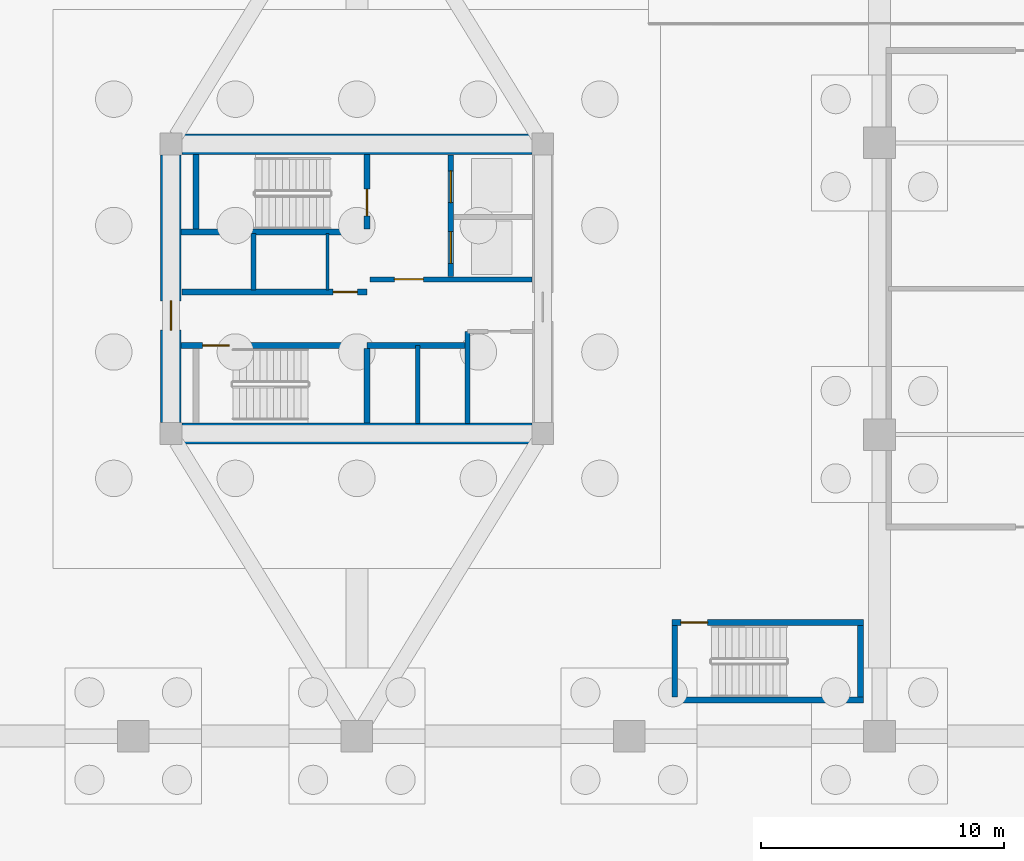
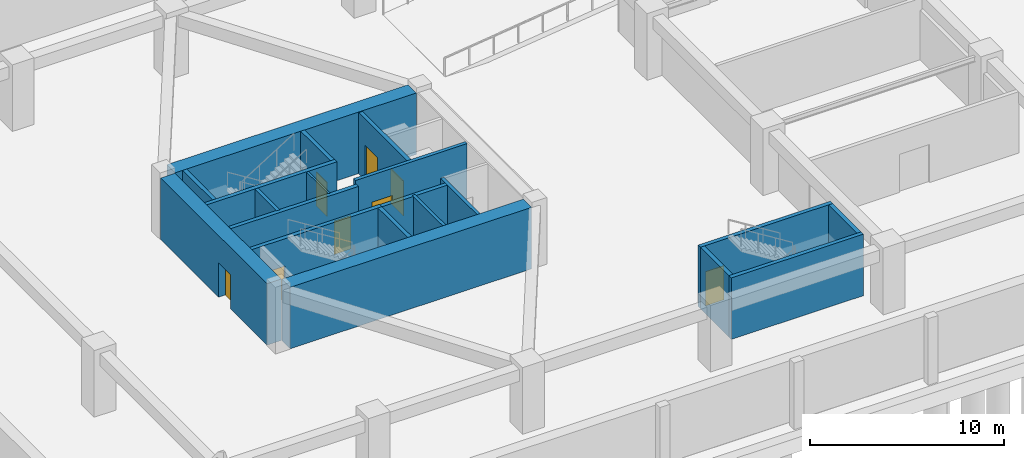
# One storey, part 4 of 14: 20 walls, 8 doors, 8 openings.
"""IFC4 building model written with IfcOpenShell, lengths in metres."""

import ifcopenshell
import ifcopenshell.guid

model = None  # the IFC model being written
_history = None  # IfcOwnerHistory: only IFC2X3 demands one
_inside = {}  # id of a spatial element -> (the spatial element, [elements in it])
_under = {}  # id of a project, library or spatial element -> (it, [spatial elements below it])
_declared = {}  # id of a project -> (the project, [libraries it declares])
_typed = {}  # id of a type object -> (the type object, [elements of that type])
_made_of = {}  # id of a material, layer set ... -> (it, [elements and type objects made of it])


def new_model(schema):
    """Start an empty IFC model of exactly this schema.

    Asked for "IFC4X3", IfcOpenShell would pick the latest addendum, in which some entities
    have other attributes; the version numbers below select the first issue.
    IFC2X3 requires an IfcOwnerHistory on every rooted entity: one is made here for all.
    """
    global model, _history
    if schema == "IFC4X3":
        model = ifcopenshell.file(schema_version=(4, 3, 0, 0))
    else:
        model = ifcopenshell.file(schema=schema)
    _inside.clear()
    _under.clear()
    _declared.clear()
    _typed.clear()
    _made_of.clear()
    _history = None
    if model.schema == "IFC2X3":
        org = make("IfcOrganization", Name="unknown")
        user = make(
            "IfcPersonAndOrganization",
            ThePerson=make("IfcPerson", FamilyName="unknown"),
            TheOrganization=org,
        )
        app = make(
            "IfcApplication",
            ApplicationDeveloper=org,
            Version="unknown",
            ApplicationFullName="unknown",
            ApplicationIdentifier="unknown",
        )
        _history = make(
            "IfcOwnerHistory",
            OwningUser=user,
            OwningApplication=app,
            ChangeAction="ADDED",
            CreationDate=0,
        )
    return model


def make(cls, **values):
    """One entity of the class cls with the attributes given. An attribute that is None is left unset."""
    return model.create_entity(
        cls, **{name: value for name, value in values.items() if value is not None}
    )


def rooted(cls, **values):
    """An entity with a GlobalId (a new one), such as an element, a storey or a relation."""
    return make(cls, GlobalId=ifcopenshell.guid.new(), OwnerHistory=_history, **values)


def si_unit(unit_type, name, prefix=None):
    """IfcSIUnit, for example si_unit("LENGTHUNIT", "METRE", prefix="MILLI")."""
    return make("IfcSIUnit", UnitType=unit_type, Prefix=prefix, Name=name)


def assignment(units):
    """IfcUnitAssignment: the units of a project."""
    return None if units is None else make("IfcUnitAssignment", Units=units)


def point(xyz):
    """IfcCartesianPoint."""
    return None if xyz is None else make("IfcCartesianPoint", Coordinates=xyz)


def direction(xyz):
    """IfcDirection."""
    return None if xyz is None else make("IfcDirection", DirectionRatios=xyz)


def frame(location, z_axis=None, x_axis=None):
    """IfcAxis2Placement3D, a coordinate frame: its origin and axes. An axis left out is left unset."""
    return make(
        "IfcAxis2Placement3D",
        Location=point(location),
        Axis=direction(z_axis),
        RefDirection=direction(x_axis),
    )


def frame_2d(location, x_axis=None):
    """IfcAxis2Placement2D, a coordinate frame in the plane: its origin and x axis."""
    return make(
        "IfcAxis2Placement2D", Location=point(location), RefDirection=direction(x_axis)
    )


def origin():
    """The frame at (0, 0, 0) with its axes left unset."""
    return frame((0.0, 0.0, 0.0))


def place(relative_to, where):
    """IfcLocalPlacement: puts the frame where relative to a parent placement (None: the world)."""
    return make(
        "IfcLocalPlacement", PlacementRelTo=relative_to, RelativePlacement=where
    )


def context(
    kind, dimensions, precision=None, world=None, true_north=None, identifier=None
):
    """IfcGeometricRepresentationContext, for example the 3D "Model" context."""
    return make(
        "IfcGeometricRepresentationContext",
        ContextIdentifier=identifier,
        ContextType=kind,
        CoordinateSpaceDimension=dimensions,
        Precision=precision,
        WorldCoordinateSystem=world,
        TrueNorth=true_north,
    )


def subcontext(parent, identifier, kind, view, scale=None):
    """IfcGeometricRepresentationSubContext, for example "Body" below "Model"."""
    return make(
        "IfcGeometricRepresentationSubContext",
        ContextIdentifier=identifier,
        ContextType=kind,
        ParentContext=parent,
        TargetScale=scale,
        TargetView=view,
    )


def project(units=None, contexts=None):
    """IfcProject with its units and contexts."""
    return rooted(
        "IfcProject",
        Name="project",
        RepresentationContexts=contexts,
        UnitsInContext=assignment(units),
    )


def spatial(cls, under=None, at=None, **own):
    """A site, building, storey or space (cls), placed at a placement, below another one or the project."""
    s = rooted(cls, ObjectPlacement=at, **own)
    if under is not None:
        _under.setdefault(under.id(), (under, []))[1].append(s)
    return s


def profile(cls, at=None, kind="AREA", **sizes):
    """A parametric profile (cls). Its sizes go by their IFC names, for example OverallWidth=200.0."""
    return make(cls, ProfileType=kind, Position=at, **sizes)


def rectangle(**sizes):
    """IfcRectangleProfileDef."""
    return profile("IfcRectangleProfileDef", **sizes)


def extrude(swept, where, along, depth):
    """IfcExtrudedAreaSolid: the profile swept, set in the frame where, extruded along a direction by depth."""
    return make(
        "IfcExtrudedAreaSolid",
        SweptArea=swept,
        Position=where,
        ExtrudedDirection=direction(along),
        Depth=depth,
    )


def shape(context_of_items, identifier, shape_type, items):
    """IfcShapeRepresentation: the items that make up one representation, for example the "Body"."""
    return make(
        "IfcShapeRepresentation",
        ContextOfItems=context_of_items,
        RepresentationIdentifier=identifier,
        RepresentationType=shape_type,
        Items=items,
    )


def source(mapping_origin, context_of_items, identifier, shape_type, items):
    """IfcRepresentationMap: a shape defined once, which mapped items show again and again."""
    return make(
        "IfcRepresentationMap",
        MappingOrigin=mapping_origin,
        MappedRepresentation=shape(context_of_items, identifier, shape_type, items),
    )


def transform(
    local_origin,
    x_axis=None,
    y_axis=None,
    z_axis=None,
    scale=None,
    scale2=None,
    scale3=None,
    uniform=True,
):
    """IfcCartesianTransformationOperator3D, or its non-uniform kind. x_axis, y_axis, z_axis: its Axis1, 2, 3."""
    if uniform:
        return make(
            "IfcCartesianTransformationOperator3D",
            Axis1=direction(x_axis),
            Axis2=direction(y_axis),
            LocalOrigin=point(local_origin),
            Scale=scale,
            Axis3=direction(z_axis),
        )
    return make(
        "IfcCartesianTransformationOperator3DnonUniform",
        Axis1=direction(x_axis),
        Axis2=direction(y_axis),
        LocalOrigin=point(local_origin),
        Scale=scale,
        Axis3=direction(z_axis),
        Scale2=scale2,
        Scale3=scale3,
    )


def mapped(mapping_source, mapping_target):
    """IfcMappedItem: shows the shape of a source again, moved by a transform."""
    return make(
        "IfcMappedItem", MappingSource=mapping_source, MappingTarget=mapping_target
    )


def material(Name=None, Category=None):
    """IfcMaterial."""
    return make("IfcMaterial", Name=Name, Category=Category)


def layer(
    of_material, thickness, ventilated=None, Name=None, Category=None, Priority=None
):
    """IfcMaterialLayer: one layer of a wall or slab, of a material (None: an air gap)."""
    return make(
        "IfcMaterialLayer",
        Material=of_material,
        LayerThickness=thickness,
        IsVentilated=ventilated,
        Name=Name,
        Category=Category,
        Priority=Priority,
    )


def layer_set(layers, Name=None):
    """IfcMaterialLayerSet."""
    return make("IfcMaterialLayerSet", MaterialLayers=layers, LayerSetName=Name)


def made_of(thing, what):
    """Note that an element or type object is made of a material, layer set ...; save() writes the relation."""
    if what is not None:
        _made_of.setdefault(what.id(), (what, []))[1].append(thing)
    return thing


def type_object(cls, material=None, **own):
    """A type object (cls), such as IfcWallType, which elements share."""
    return made_of(rooted(cls, **own), material)


def type_shapes(of_type, sources):
    """Give a type object the sources (RepresentationMaps) that its elements show as mapped items."""
    of_type.RepresentationMaps = sources


def element(
    cls,
    number,
    at=None,
    inside=None,
    cuts=None,
    type_object=None,
    material=None,
    context=None,
    identifier="Body",
    shape_type=None,
    held_by="IfcProductDefinitionShape",
    body=None,
    shapes=None,
    **own,
):
    """One element of the class cls, such as IfcWall. Its Tag is "e" and its number.

    at: its placement. inside: the storey or other place that contains it. cuts: it is an
    opening in that element (IfcRelVoidsElement). A single representation is given by context,
    identifier, shape_type and body (its items); several are given by shapes. held_by: the class
    of the entity that holds the representations. save() writes the other relations.
    """
    e = rooted(cls, Tag="e%d" % number, ObjectPlacement=at, **own)
    if body is not None:
        shapes = [shape(context, identifier, shape_type, body)]
    if shapes is not None:
        e.Representation = make(held_by, Representations=shapes)
    if inside is not None:
        _inside.setdefault(inside.id(), (inside, []))[1].append(e)
    if cuts is not None:
        rooted(
            "IfcRelVoidsElement", RelatingBuildingElement=cuts, RelatedOpeningElement=e
        )
    if type_object is not None:
        _typed.setdefault(type_object.id(), (type_object, []))[1].append(e)
    return made_of(e, material)


def fill(opening, filler):
    """IfcRelFillsElement: the door or window that sits in an opening."""
    return rooted(
        "IfcRelFillsElement",
        RelatingOpeningElement=opening,
        RelatedBuildingElement=filler,
    )


def aggregate(whole, parts):
    """IfcRelAggregates: a whole, such as a stair, and the parts it consists of."""
    return rooted("IfcRelAggregates", RelatingObject=whole, RelatedObjects=parts)


def save(model, path):
    """Write the relations noted so far, then the file.

    IfcRelAggregates (storeys below a building ...), IfcRelContainedInSpatialStructure (elements
    in a storey), IfcRelDefinesByType, IfcRelAssociatesMaterial and IfcRelDeclares: one each for
    every whole, place, type object, material and project.
    """
    for whole, parts in _under.values():
        aggregate(whole, parts)
    for where, things in _inside.values():
        rooted(
            "IfcRelContainedInSpatialStructure",
            RelatedElements=things,
            RelatingStructure=where,
        )
    for kind, things in _typed.values():
        rooted("IfcRelDefinesByType", RelatedObjects=things, RelatingType=kind)
    for what, things in _made_of.values():
        rooted("IfcRelAssociatesMaterial", RelatedObjects=things, RelatingMaterial=what)
    for by, libraries in _declared.values():
        rooted("IfcRelDeclares", RelatingContext=by, RelatedDefinitions=libraries)
    model.write(path)


model = new_model("IFC4")

# Units and contexts
model_context = context("Model", 3, precision=1e-05, world=origin(), true_north=direction((0.0, 1.0)))
body_context = subcontext(model_context, "Body", "Model", "MODEL_VIEW")
ifc_project = project(units=[si_unit("LENGTHUNIT", "METRE"), si_unit("AREAUNIT", "SQUARE_METRE"), si_unit("VOLUMEUNIT", "CUBIC_METRE"), si_unit("PLANEANGLEUNIT", "RADIAN"), si_unit("MASSUNIT", "GRAM", prefix="KILO")], contexts=[model_context])

# Site, building, storey
site_placement = place(None, origin())
site = spatial("IfcSite", under=ifc_project, at=site_placement, CompositionType="ELEMENT")
building_placement = place(site_placement, origin())
building = spatial("IfcBuilding", under=site, at=building_placement, Name="Norrkilde Senior Care Towers", CompositionType="ELEMENT")
storey_placement = place(building_placement, frame((0.0, 0.0, -8.39990234375)))
storey = spatial("IfcBuildingStorey", under=building, at=storey_placement, Name="B2", CompositionType="ELEMENT", Elevation=-8.39990234375)

# Walls
ifc_material_1 = material(Name="Concrete C60/75", Category="concrete")
ifc_layer_1 = layer(ifc_material_1, 0.85009765625)
ifc_layer_set_1 = layer_set([ifc_layer_1], Name="Concrete C60/75")
wall_type_1 = type_object("IfcWallType", Name="Core Shear Wall Z1 850", PredefinedType="SHEAR", material=ifc_layer_set_1)
shared_shape_1 = source(origin(), body_context, "Body", "SweptSolid", [
    extrude(rectangle(XDim=14.39990234375, YDim=0.85009765625, at=frame_2d((7.199951171875, 0.0))), origin(), (0.0, 0.0, 1.0), 3.8798828125),
])
for number, where, z_axis, x_axis, name in (
    (1, (-35.199951171875, 5.949951171875, 0.0), (0.0, 0.0, 1.0), (1.0, 0.0, 0.0), "B2 Core W North Shear Wall"),
    (2, (-20.800048828125, -5.949951171875, 0.0), (0.0, 0.0, 1.0), (-1.0, 0.0, 0.0), "B2 Core W South Shear Wall"),
):
    element("IfcWall", number, at=place(storey_placement, frame(where, z_axis=z_axis, x_axis=x_axis)), inside=storey, type_object=wall_type_1, Name=name, PredefinedType="SHEAR", context=body_context, shape_type="MappedRepresentation", body=[
        mapped(shared_shape_1, transform((0.0, 0.0, 0.0), x_axis=(1.0, 0.0, 0.0), y_axis=(0.0, 1.0, 0.0), z_axis=(0.0, 0.0, 1.0), scale=1.0)),
    ])

# Wall, opening, door
shared_shape_2 = source(origin(), body_context, "Body", "SweptSolid", [
    extrude(rectangle(XDim=11.0, YDim=0.85009765625, at=frame_2d((5.5, 0.0))), origin(), (0.0, 0.0, 1.0), 3.8798828125),
])
type_shapes(wall_type_1, [shared_shape_1, shared_shape_2])
wall_1_placement = place(storey_placement, frame((-35.64990234375, -5.5, 0.0), z_axis=(0.0, 0.0, 1.0), x_axis=(0.0, 1.0, 0.0)))
wall_1 = element("IfcWall", 3, at=wall_1_placement, inside=storey, type_object=wall_type_1, Name="B2 Core W West Shear Wall", PredefinedType="SHEAR", context=body_context, shape_type="MappedRepresentation", body=[
    mapped(shared_shape_2, transform((0.0, 0.0, 0.0), x_axis=(1.0, 0.0, 0.0), y_axis=(0.0, 1.0, 0.0), z_axis=(0.0, 0.0, 1.0), scale=1.0)),
])
opening_1_placement = place(wall_1_placement, frame((3.800048828125, 0.0, 0.0)))
opening_1 = element("IfcOpeningElement", 4, at=opening_1_placement, cuts=wall_1, Name="Opening D-04", PredefinedType="OPENING", context=body_context, shape_type="SweptSolid", body=[
    extrude(rectangle(XDim=1.199951171875, YDim=2.14990234375, at=frame_2d((0.60009765625, 1.074951171875))), frame((0.0, 0.43505859375, 0.0), z_axis=(0.0, -1.0, 0.0), x_axis=(1.0, 0.0, 0.0)), (0.0, 0.0, 1.0), 0.8701171875),
])
ifc_material_2 = material(Name="Galvanised Painted Steel", Category="steel")
door_type_1 = type_object("IfcDoorType", Name="Firefighting Lobby Fire Door 1200x2150", OperationType="NOTDEFINED", PredefinedType="DOOR", material=ifc_material_2)
shared_shape_3 = source(origin(), body_context, "Body", "SweptSolid", [
    extrude(rectangle(XDim=1.199951171875, YDim=2.14990234375, at=frame_2d((0.60009765625, 1.074951171875))), frame((0.0, 0.02490234375, 0.0), z_axis=(0.0, -1.0, 0.0), x_axis=(1.0, 0.0, 0.0)), (0.0, 0.0, 1.0), 0.050048828125),
])
type_shapes(door_type_1, [shared_shape_3])
door_1_placement = place(opening_1_placement, frame((1.199951171875, 0.0, 0.0), z_axis=(0.0, 0.0, 1.0), x_axis=(-1.0, 0.0, 0.0)))
door_1 = element("IfcDoor", 5, at=door_1_placement, inside=storey, type_object=door_type_1, Name="B2 Core W West Portal Door", OperationType="SINGLE_SWING_LEFT", OverallHeight=2.14990234375, OverallWidth=1.199951171875, PredefinedType="DOOR", context=body_context, shape_type="MappedRepresentation", body=[
    mapped(shared_shape_3, transform((0.0, 0.0, 0.0), x_axis=(1.0, 0.0, 0.0), y_axis=(0.0, 1.0, 0.0), z_axis=(0.0, 0.0, 1.0), scale=1.0)),
])
fill(opening_1, door_1)

# Wall
ifc_material_3 = material(Name="Concrete C45/55", Category="concrete")
ifc_layer_2 = layer(ifc_material_3, 0.239990234375)
ifc_layer_set_2 = layer_set([ifc_layer_2], Name="Concrete C45/55")
wall_type_2 = type_object("IfcWallType", Name="Shaft and Stair Enclosure Wall 240", PredefinedType="PARTITIONING", material=ifc_layer_set_2)
shared_shape_4 = source(origin(), body_context, "Body", "SweptSolid", [
    extrude(rectangle(XDim=7.76513671875, YDim=0.239990234375, at=frame_2d((3.882568359375, 0.0))), origin(), (0.0, 0.0, 1.0), 3.8798828125),
])
wall_2_placement = place(storey_placement, frame((-35.22509765625, 2.330078125, 0.0), z_axis=(0.0, 0.0, 1.0), x_axis=(1.0, 0.0, 0.0)))
element("IfcWall", 6, at=wall_2_placement, inside=storey, type_object=wall_type_2, Name="WL-INT-B2-W-ST1S", PredefinedType="PARTITIONING", context=body_context, shape_type="MappedRepresentation", body=[
    mapped(shared_shape_4, transform((0.0, 0.0, 0.0), x_axis=(1.0, 0.0, 0.0), y_axis=(0.0, 1.0, 0.0), z_axis=(0.0, 0.0, 1.0), scale=1.0)),
])

# Wall, opening, door
wall_3_placement = place(storey_placement, frame((-35.22509765625, -2.330078125, 0.0), z_axis=(0.0, 0.0, 1.0), x_axis=(1.0, 0.0, 0.0)))
wall_3 = element("IfcWall", 7, at=wall_3_placement, inside=storey, type_object=wall_type_2, Name="WL-INT-B2-W-ST2N", PredefinedType="PARTITIONING", context=body_context, shape_type="MappedRepresentation", body=[
    mapped(shared_shape_4, transform((0.0, 0.0, 0.0), x_axis=(1.0, 0.0, 0.0), y_axis=(0.0, 1.0, 0.0), z_axis=(0.0, 0.0, 1.0), scale=1.0)),
])
opening_2_placement = place(wall_3_placement, frame((0.885009765625, 0.0, 0.0)))
opening_2 = element("IfcOpeningElement", 8, at=opening_2_placement, cuts=wall_3, Name="Opening D-03", PredefinedType="OPENING", context=body_context, shape_type="SweptSolid", body=[
    extrude(rectangle(XDim=1.10009765625, YDim=2.14990234375, at=frame_2d((0.550048828125, 1.074951171875))), frame((0.0, 0.1298828125, 0.0), z_axis=(0.0, -1.0, 0.0), x_axis=(1.0, 0.0, 0.0)), (0.0, 0.0, 1.0), 0.260009765625),
])
door_type_2 = type_object("IfcDoorType", Name="Stairwell Protected Fire Door 1100x2150", OperationType="NOTDEFINED", PredefinedType="DOOR", material=ifc_material_2)
shared_shape_5 = source(origin(), body_context, "Body", "SweptSolid", [
    extrude(rectangle(XDim=1.10009765625, YDim=2.14990234375, at=frame_2d((0.550048828125, 1.074951171875))), frame((0.0, 0.02490234375, 0.0), z_axis=(0.0, -1.0, 0.0), x_axis=(1.0, 0.0, 0.0)), (0.0, 0.0, 1.0), 0.050048828125),
])
type_shapes(door_type_2, [shared_shape_5])
door_2_placement = place(opening_2_placement, frame((1.10009765625, 0.0, 0.0), z_axis=(0.0, 0.0, 1.0), x_axis=(-1.0, 0.0, 0.0)))
door_2 = element("IfcDoor", 9, at=door_2_placement, inside=storey, type_object=door_type_2, Name="B2 Stair W2 Fire Door", OperationType="SINGLE_SWING_RIGHT", OverallHeight=2.14990234375, OverallWidth=1.10009765625, PredefinedType="DOOR", context=body_context, shape_type="MappedRepresentation", body=[
    mapped(shared_shape_5, transform((0.0, 0.0, 0.0), x_axis=(1.0, 0.0, 0.0), y_axis=(0.0, 1.0, 0.0), z_axis=(0.0, 0.0, 1.0), scale=1.0)),
])
fill(opening_2, door_2)

# Wall
shared_shape_6 = source(origin(), body_context, "Body", "SweptSolid", [
    extrude(rectangle(XDim=3.074951171875, YDim=0.239990234375, at=frame_2d((1.53759765625, 0.0))), origin(), (0.0, 0.0, 1.0), 3.8798828125),
])
wall_4_placement = place(storey_placement, frame((-34.6201171875, 2.449951171875, 0.0), z_axis=(0.0, 0.0, 1.0), x_axis=(0.0, 1.0, 0.0)))
element("IfcWall", 10, at=wall_4_placement, inside=storey, type_object=wall_type_2, Name="WL-INT-B2-W-ST1W", PredefinedType="PARTITIONING", context=body_context, shape_type="MappedRepresentation", body=[
    mapped(shared_shape_6, transform((0.0, 0.0, 0.0), x_axis=(1.0, 0.0, 0.0), y_axis=(0.0, 1.0, 0.0), z_axis=(0.0, 0.0, 1.0), scale=1.0)),
])

# Wall, opening, door
wall_5_placement = place(storey_placement, frame((-27.580078125, 2.449951171875, 0.0), z_axis=(0.0, 0.0, 1.0), x_axis=(0.0, 1.0, 0.0)))
wall_5 = element("IfcWall", 11, at=wall_5_placement, inside=storey, type_object=wall_type_2, Name="WL-INT-B2-W-ST1E", PredefinedType="PARTITIONING", context=body_context, shape_type="MappedRepresentation", body=[
    mapped(shared_shape_6, transform((0.0, 0.0, 0.0), x_axis=(1.0, 0.0, 0.0), y_axis=(0.0, 1.0, 0.0), z_axis=(0.0, 0.0, 1.0), scale=1.0)),
])
opening_3_placement = place(wall_5_placement, frame((0.550048828125, 0.0, 0.0)))
opening_3 = element("IfcOpeningElement", 12, at=opening_3_placement, cuts=wall_5, Name="Opening D-03", PredefinedType="OPENING", context=body_context, shape_type="SweptSolid", body=[
    extrude(rectangle(XDim=1.10009765625, YDim=2.14990234375, at=frame_2d((0.550048828125, 1.074951171875))), frame((0.0, 0.1298828125, 0.0), z_axis=(0.0, -1.0, 0.0), x_axis=(1.0, 0.0, 0.0)), (0.0, 0.0, 1.0), 0.260009765625),
])
door_3_placement = place(opening_3_placement, origin())
door_3 = element("IfcDoor", 13, at=door_3_placement, inside=storey, type_object=door_type_2, Name="B2 Stair W1 Fire Door", OperationType="SINGLE_SWING_LEFT", OverallHeight=2.14990234375, OverallWidth=1.10009765625, PredefinedType="DOOR", context=body_context, shape_type="MappedRepresentation", body=[
    mapped(shared_shape_5, transform((0.0, 0.0, 0.0), x_axis=(1.0, 0.0, 0.0), y_axis=(0.0, 1.0, 0.0), z_axis=(0.0, 0.0, 1.0), scale=1.0)),
])
fill(opening_3, door_3)

# Wall
wall_6_placement = place(storey_placement, frame((-27.580078125, -5.52490234375, 0.0), z_axis=(0.0, 0.0, 1.0), x_axis=(0.0, 1.0, 0.0)))
element("IfcWall", 14, at=wall_6_placement, inside=storey, type_object=wall_type_2, Name="WL-INT-B2-W-ST2E", PredefinedType="PARTITIONING", context=body_context, shape_type="MappedRepresentation", body=[
    mapped(shared_shape_6, transform((0.0, 0.0, 0.0), x_axis=(1.0, 0.0, 0.0), y_axis=(0.0, 1.0, 0.0), z_axis=(0.0, 0.0, 1.0), scale=1.0)),
])

# Wall, openings, doors
ifc_layer_3 = layer(ifc_material_3, 0.239990234375)
ifc_layer_set_3 = layer_set([ifc_layer_3], Name="Concrete C45/55")
wall_type_3 = type_object("IfcWallType", Name="Lift and Plant Rated Enclosure Partition 240", PredefinedType="PARTITIONING", material=ifc_layer_set_3)
shared_shape_7 = source(origin(), body_context, "Body", "SweptSolid", [
    extrude(rectangle(XDim=5.0, YDim=0.239990234375, at=frame_2d((2.5, 0.0))), origin(), (0.0, 0.0, 1.0), 3.864990234375),
])
wall_7_placement = place(storey_placement, frame((-24.139892578125, 0.5, 0.0), z_axis=(0.0, 0.0, 1.0), x_axis=(0.0, 1.0, 0.0)))
wall_7 = element("IfcWall", 15, at=wall_7_placement, inside=storey, type_object=wall_type_3, Name="WL-INT-B2-W-FFLE", PredefinedType="PARTITIONING", context=body_context, shape_type="MappedRepresentation", body=[
    mapped(shared_shape_7, transform((0.0, 0.0, 0.0), x_axis=(1.0, 0.0, 0.0), y_axis=(0.0, 1.0, 0.0), z_axis=(0.0, 0.0, 1.0), scale=1.0)),
])
opening_4_placement = place(wall_7_placement, frame((3.050048828125, 0.0, 0.0)))
opening_4 = element("IfcOpeningElement", 16, at=opening_4_placement, cuts=wall_7, Name="Opening LD-02", PredefinedType="OPENING", context=body_context, shape_type="SweptSolid", body=[
    extrude(rectangle(XDim=1.300048828125, YDim=2.199951171875, at=frame_2d((0.64990234375, 1.10009765625))), frame((0.0, 0.1298828125, 0.0), z_axis=(0.0, -1.0, 0.0), x_axis=(1.0, 0.0, 0.0)), (0.0, 0.0, 1.0), 0.260009765625),
])
opening_5_placement = place(wall_7_placement, frame((0.550048828125, 0.0, 0.0)))
opening_5 = element("IfcOpeningElement", 17, at=opening_5_placement, cuts=wall_7, Name="Opening LD-02", PredefinedType="OPENING", context=body_context, shape_type="SweptSolid", body=[
    extrude(rectangle(XDim=1.300048828125, YDim=2.199951171875, at=frame_2d((0.64990234375, 1.10009765625))), frame((0.0, 0.1298828125, 0.0), z_axis=(0.0, -1.0, 0.0), x_axis=(1.0, 0.0, 0.0)), (0.0, 0.0, 1.0), 0.260009765625),
])
ifc_material_4 = material(Name="Stainless Steel", Category="steel")
door_type_3 = type_object("IfcDoorType", Name="Stretcher and FFL Landing Sliding Door 1300x2200", OperationType="NOTDEFINED", PredefinedType="DOOR", material=ifc_material_4)
shared_shape_8 = source(origin(), body_context, "Body", "SweptSolid", [
    extrude(rectangle(XDim=1.300048828125, YDim=2.199951171875, at=frame_2d((0.64990234375, 1.10009765625))), frame((0.0, 0.02490234375, 0.0), z_axis=(0.0, -1.0, 0.0), x_axis=(1.0, 0.0, 0.0)), (0.0, 0.0, 1.0), 0.050048828125),
])
type_shapes(door_type_3, [shared_shape_8])
door_4_placement = place(opening_4_placement, origin())
door_4 = element("IfcDoor", 18, at=door_4_placement, inside=storey, type_object=door_type_3, Name="B2 Firefighting Lift W1 Landing Door", OperationType="SLIDING_TO_LEFT", OverallHeight=2.199951171875, OverallWidth=1.300048828125, PredefinedType="DOOR", context=body_context, shape_type="MappedRepresentation", body=[
    mapped(shared_shape_8, transform((0.0, 0.0, 0.0), x_axis=(1.0, 0.0, 0.0), y_axis=(0.0, 1.0, 0.0), z_axis=(0.0, 0.0, 1.0), scale=1.0)),
])
fill(opening_4, door_4)
door_5_placement = place(opening_5_placement, origin())
door_5 = element("IfcDoor", 19, at=door_5_placement, inside=storey, type_object=door_type_3, Name="B2 Stretcher Lift W1 Landing Door", OperationType="SLIDING_TO_RIGHT", OverallHeight=2.199951171875, OverallWidth=1.300048828125, PredefinedType="DOOR", context=body_context, shape_type="MappedRepresentation", body=[
    mapped(shared_shape_8, transform((0.0, 0.0, 0.0), x_axis=(1.0, 0.0, 0.0), y_axis=(0.0, 1.0, 0.0), z_axis=(0.0, 0.0, 1.0), scale=1.0)),
])
fill(opening_5, door_5)

# Wall, opening, door
ifc_layer_4 = layer(ifc_material_3, 0.2099609375)
ifc_layer_set_4 = layer_set([ifc_layer_4], Name="Concrete C45/55")
wall_type_4 = type_object("IfcWallType", Name="Firefighting Lobby Wall 210", PredefinedType="PARTITIONING", material=ifc_layer_set_4)
shared_shape_9 = source(origin(), body_context, "Body", "SweptSolid", [
    extrude(rectangle(XDim=6.659912109375, YDim=0.2099609375, at=frame_2d((3.330078125, 0.0))), origin(), (0.0, 0.0, 1.0), 3.864990234375),
])
type_shapes(wall_type_4, [shared_shape_9])
wall_8_placement = place(storey_placement, frame((-27.4599609375, 0.389892578125, 0.0), z_axis=(0.0, 0.0, 1.0), x_axis=(1.0, 0.0, 0.0)))
wall_8 = element("IfcWall", 20, at=wall_8_placement, inside=storey, type_object=wall_type_4, Name="WL-INT-B2-W-FFLS", PredefinedType="PARTITIONING", context=body_context, shape_type="MappedRepresentation", body=[
    mapped(shared_shape_9, transform((0.0, 0.0, 0.0), x_axis=(1.0, 0.0, 0.0), y_axis=(0.0, 1.0, 0.0), z_axis=(0.0, 0.0, 1.0), scale=1.0)),
])
opening_6_placement = place(wall_8_placement, frame((1.0, 0.0, 0.0)))
opening_6 = element("IfcOpeningElement", 21, at=opening_6_placement, cuts=wall_8, Name="Opening D-04", PredefinedType="OPENING", context=body_context, shape_type="SweptSolid", body=[
    extrude(rectangle(XDim=1.199951171875, YDim=2.14990234375, at=frame_2d((0.60009765625, 1.074951171875))), frame((0.0, 0.114990234375, 0.0), z_axis=(0.0, -1.0, 0.0), x_axis=(1.0, 0.0, 0.0)), (0.0, 0.0, 1.0), 0.22998046875),
])
door_6_placement = place(opening_6_placement, frame((1.199951171875, 0.0, 0.0), z_axis=(0.0, 0.0, 1.0), x_axis=(-1.0, 0.0, 0.0)))
door_6 = element("IfcDoor", 22, at=door_6_placement, inside=storey, type_object=door_type_1, Name="B2 Firefighting Lobby W Door", OperationType="SINGLE_SWING_LEFT", OverallHeight=2.14990234375, OverallWidth=1.199951171875, PredefinedType="DOOR", context=body_context, shape_type="MappedRepresentation", body=[
    mapped(shared_shape_3, transform((0.0, 0.0, 0.0), x_axis=(1.0, 0.0, 0.0), y_axis=(0.0, 1.0, 0.0), z_axis=(0.0, 0.0, 1.0), scale=1.0)),
])
fill(opening_6, door_6)

shared_shape_10 = source(origin(), body_context, "Body", "SweptSolid", [
    extrude(rectangle(XDim=7.619873046875, YDim=0.239990234375, at=frame_2d((3.81005859375, 0.0))), origin(), (0.0, 0.0, 1.0), 3.864990234375),
])
wall_9_placement = place(storey_placement, frame((-35.199951171875, -0.1298828125, 0.0), z_axis=(0.0, 0.0, 1.0), x_axis=(1.0, 0.0, 0.0)))
wall_9 = element("IfcWall", 23, at=wall_9_placement, inside=storey, type_object=wall_type_3, Name="WL-INT-B2-W-PKAS", PredefinedType="PARTITIONING", context=body_context, shape_type="MappedRepresentation", body=[
    mapped(shared_shape_10, transform((0.0, 0.0, 0.0), x_axis=(1.0, 0.0, 0.0), y_axis=(0.0, 1.0, 0.0), z_axis=(0.0, 0.0, 1.0), scale=1.0)),
])
opening_7_placement = place(wall_9_placement, frame((6.219970703125, 0.0, 0.0)))
opening_7 = element("IfcOpeningElement", 24, at=opening_7_placement, cuts=wall_9, Name="Opening D-10", PredefinedType="OPENING", context=body_context, shape_type="SweptSolid", body=[
    extrude(rectangle(XDim=1.0, YDim=2.10009765625, at=frame_2d((0.5, 1.050048828125))), frame((0.0, 0.1298828125, 0.0), z_axis=(0.0, -1.0, 0.0), x_axis=(1.0, 0.0, 0.0)), (0.0, 0.0, 1.0), 0.260009765625),
])
door_type_4 = type_object("IfcDoorType", Name="Plant and Riser Rated Door 1000x2100", OperationType="NOTDEFINED", PredefinedType="DOOR", material=ifc_material_2)
shared_shape_11 = source(origin(), body_context, "Body", "SweptSolid", [
    extrude(rectangle(XDim=1.0, YDim=2.10009765625, at=frame_2d((0.5, 1.050048828125))), frame((0.0, 0.02490234375, 0.0), z_axis=(0.0, -1.0, 0.0), x_axis=(1.0, 0.0, 0.0)), (0.0, 0.0, 1.0), 0.050048828125),
])
type_shapes(door_type_4, [shared_shape_11])
door_7_placement = place(opening_7_placement, frame((1.0, 0.0, 0.0), z_axis=(0.0, 0.0, 1.0), x_axis=(-1.0, 0.0, 0.0)))
door_7 = element("IfcDoor", 25, at=door_7_placement, inside=storey, type_object=door_type_4, Name="B2 Electrical Riser W Door", OperationType="SINGLE_SWING_LEFT", OverallHeight=2.10009765625, OverallWidth=1.0, PredefinedType="DOOR", context=body_context, shape_type="MappedRepresentation", body=[
    mapped(shared_shape_11, transform((0.0, 0.0, 0.0), x_axis=(1.0, 0.0, 0.0), y_axis=(0.0, 1.0, 0.0), z_axis=(0.0, 0.0, 1.0), scale=1.0)),
])
fill(opening_7, door_7)

# Walls
ifc_material_5 = material(Name="Gypsum Acoustic Board")
ifc_layer_5 = layer(ifc_material_5, 0.114990234375)
ifc_layer_set_5 = layer_set([ifc_layer_5], Name="Gypsum Acoustic Board")
wall_type_5 = type_object("IfcWallType", Name="Internal Room Partition 115", PredefinedType="PARTITIONING", material=ifc_layer_set_5)
shared_shape_12 = source(origin(), body_context, "Body", "SweptSolid", [
    extrude(rectangle(XDim=2.330078125, YDim=0.114990234375, at=frame_2d((1.1650390625, 0.0))), origin(), (0.0, 0.0, 1.0), 3.864990234375),
])
type_shapes(wall_type_5, [shared_shape_12])
wall_10_placement = place(storey_placement, frame((-29.2099609375, -0.050048828125, 0.0), z_axis=(0.0, 0.0, 1.0), x_axis=(0.0, 1.0, 0.0)))
element("IfcWall", 26, at=wall_10_placement, inside=storey, type_object=wall_type_5, Name="WL-INT-B2-W-RISW", PredefinedType="PARTITIONING", context=body_context, shape_type="MappedRepresentation", body=[
    mapped(shared_shape_12, transform((0.0, 0.0, 0.0), x_axis=(1.0, 0.0, 0.0), y_axis=(0.0, 1.0, 0.0), z_axis=(0.0, 0.0, 1.0), scale=1.0)),
])
ifc_layer_6 = layer(ifc_material_3, 0.199951171875)
ifc_layer_set_6 = layer_set([ifc_layer_6], Name="Concrete C45/55")
wall_type_6 = type_object("IfcWallType", Name="Shaft Division and Plant Partition 200", PredefinedType="PARTITIONING", material=ifc_layer_set_6)
shared_shape_13 = source(origin(), body_context, "Body", "SweptSolid", [
    extrude(rectangle(XDim=2.330078125, YDim=0.199951171875, at=frame_2d((1.1650390625, 0.0))), origin(), (0.0, 0.0, 1.0), 3.864990234375),
])
wall_11_placement = place(storey_placement, frame((-32.25, -0.050048828125, 0.0), z_axis=(0.0, 0.0, 1.0), x_axis=(0.0, 1.0, 0.0)))
element("IfcWall", 27, at=wall_11_placement, inside=storey, type_object=wall_type_6, Name="WL-INT-B2-W-PL12", PredefinedType="PARTITIONING", context=body_context, shape_type="MappedRepresentation", body=[
    mapped(shared_shape_13, transform((0.0, 0.0, 0.0), x_axis=(1.0, 0.0, 0.0), y_axis=(0.0, 1.0, 0.0), z_axis=(0.0, 0.0, 1.0), scale=1.0)),
])
shared_shape_14 = source(origin(), body_context, "Body", "SweptSolid", [
    extrude(rectangle(XDim=3.800048828125, YDim=0.199951171875, at=frame_2d((1.89990234375, 0.0))), origin(), (0.0, 0.0, 1.0), 3.864990234375),
])
type_shapes(wall_type_6, [shared_shape_13, shared_shape_14])
wall_12_placement = place(storey_placement, frame((-23.449951171875, -5.550048828125, 0.0), z_axis=(0.0, 0.0, 1.0), x_axis=(0.0, 1.0, 0.0)))
element("IfcWall", 28, at=wall_12_placement, inside=storey, type_object=wall_type_6, Name="WL-INT-B2-W-PKBE", PredefinedType="PARTITIONING", context=body_context, shape_type="MappedRepresentation", body=[
    mapped(shared_shape_14, transform((0.0, 0.0, 0.0), x_axis=(1.0, 0.0, 0.0), y_axis=(0.0, 1.0, 0.0), z_axis=(0.0, 0.0, 1.0), scale=1.0)),
])
shared_shape_15 = source(origin(), body_context, "Body", "SweptSolid", [
    extrude(rectangle(XDim=4.130126953125, YDim=0.239990234375, at=frame_2d((2.06494140625, 0.0))), origin(), (0.0, 0.0, 1.0), 3.864990234375),
])
type_shapes(wall_type_3, [shared_shape_7, shared_shape_10, shared_shape_15])
wall_13_placement = place(storey_placement, frame((-27.580078125, -2.330078125, 0.0), z_axis=(0.0, 0.0, 1.0), x_axis=(1.0, 0.0, 0.0)))
element("IfcWall", 29, at=wall_13_placement, inside=storey, type_object=wall_type_3, Name="WL-INT-B2-W-PKBN", PredefinedType="PARTITIONING", context=body_context, shape_type="MappedRepresentation", body=[
    mapped(shared_shape_15, transform((0.0, 0.0, 0.0), x_axis=(1.0, 0.0, 0.0), y_axis=(0.0, 1.0, 0.0), z_axis=(0.0, 0.0, 1.0), scale=1.0)),
])
ifc_layer_7 = layer(ifc_material_3, 0.179931640625)
ifc_layer_set_7 = layer_set([ifc_layer_7], Name="Concrete C45/55")
wall_type_7 = type_object("IfcWallType", Name="Hoistway Division Rated Partition 180", PredefinedType="PARTITIONING", material=ifc_layer_set_7)
shared_shape_16 = source(origin(), body_context, "Body", "SweptSolid", [
    extrude(rectangle(XDim=3.219970703125, YDim=0.179931640625, at=frame_2d((1.60986328125, 0.0))), origin(), (0.0, 0.0, 1.0), 3.864990234375),
])
type_shapes(wall_type_7, [shared_shape_16])
wall_14_placement = place(storey_placement, frame((-25.5, -5.550048828125, 0.0), z_axis=(0.0, 0.0, 1.0), x_axis=(0.0, 1.0, 0.0)))
element("IfcWall", 30, at=wall_14_placement, inside=storey, type_object=wall_type_7, Name="WL-INT-B2-W-PL34", PredefinedType="PARTITIONING", context=body_context, shape_type="MappedRepresentation", body=[
    mapped(shared_shape_16, transform((0.0, 0.0, 0.0), x_axis=(1.0, 0.0, 0.0), y_axis=(0.0, 1.0, 0.0), z_axis=(0.0, 0.0, 1.0), scale=1.0)),
])

# Wall, opening, door
shared_shape_17 = source(origin(), body_context, "Body", "SweptSolid", [
    extrude(rectangle(XDim=7.880126953125, YDim=0.239990234375, at=frame_2d((3.93994140625, 0.0))), origin(), (0.0, 0.0, 1.0), 3.8798828125),
])
wall_15_placement = place(storey_placement, frame((-15.0400390625, -13.72998046875, 0.0), z_axis=(0.0, 0.0, 1.0), x_axis=(1.0, 0.0, 0.0)))
wall_15 = element("IfcWall", 31, at=wall_15_placement, inside=storey, type_object=wall_type_2, Name="WL-INT-B2-STP1-N", PredefinedType="PARTITIONING", context=body_context, shape_type="MappedRepresentation", body=[
    mapped(shared_shape_17, transform((0.0, 0.0, 0.0), x_axis=(1.0, 0.0, 0.0), y_axis=(0.0, 1.0, 0.0), z_axis=(0.0, 0.0, 1.0), scale=1.0)),
])
opening_8_placement = place(wall_15_placement, frame((0.3701171875, 0.0, 0.0)))
opening_8 = element("IfcOpeningElement", 32, at=opening_8_placement, cuts=wall_15, Name="Opening D-03", PredefinedType="OPENING", context=body_context, shape_type="SweptSolid", body=[
    extrude(rectangle(XDim=1.10009765625, YDim=2.14990234375, at=frame_2d((0.550048828125, 1.074951171875))), frame((0.0, 0.1298828125, 0.0), z_axis=(0.0, -1.0, 0.0), x_axis=(1.0, 0.0, 0.0)), (0.0, 0.0, 1.0), 0.260009765625),
])
door_8_placement = place(opening_8_placement, origin())
door_8 = element("IfcDoor", 33, at=door_8_placement, inside=storey, type_object=door_type_2, Name="B2 Podium Stair P1 Door", OperationType="SINGLE_SWING_LEFT", OverallHeight=2.14990234375, OverallWidth=1.10009765625, PredefinedType="DOOR", context=body_context, shape_type="MappedRepresentation", body=[
    mapped(shared_shape_5, transform((0.0, 0.0, 0.0), x_axis=(1.0, 0.0, 0.0), y_axis=(0.0, 1.0, 0.0), z_axis=(0.0, 0.0, 1.0), scale=1.0)),
])
fill(opening_8, door_8)

# Walls
wall_16_placement = place(storey_placement, frame((-15.0400390625, -16.919921875, 0.0), z_axis=(0.0, 0.0, 1.0), x_axis=(1.0, 0.0, 0.0)))
element("IfcWall", 34, at=wall_16_placement, inside=storey, type_object=wall_type_2, Name="WL-INT-B2-STP1-S", PredefinedType="PARTITIONING", context=body_context, shape_type="MappedRepresentation", body=[
    mapped(shared_shape_17, transform((0.0, 0.0, 0.0), x_axis=(1.0, 0.0, 0.0), y_axis=(0.0, 1.0, 0.0), z_axis=(0.0, 0.0, 1.0), scale=1.0)),
])
shared_shape_18 = source(origin(), body_context, "Body", "SweptSolid", [
    extrude(rectangle(XDim=2.949951171875, YDim=0.239990234375, at=frame_2d((1.47509765625, 0.0))), origin(), (0.0, 0.0, 1.0), 3.8798828125),
])
type_shapes(wall_type_2, [shared_shape_4, shared_shape_6, shared_shape_17, shared_shape_18])
for number, where, z_axis, x_axis, name in (
    (35, (-14.919921875, -16.800048828125, 0.0), (0.0, 0.0, 1.0), (0.0, 1.0, 0.0), "WL-INT-B2-STP1-W"),
    (36, (-7.280029296875, -16.800048828125, 0.0), (0.0, 0.0, 1.0), (0.0, 1.0, 0.0), "WL-INT-B2-STP1-E"),
):
    element("IfcWall", number, at=place(storey_placement, frame(where, z_axis=z_axis, x_axis=x_axis)), inside=storey, type_object=wall_type_2, Name=name, PredefinedType="PARTITIONING", context=body_context, shape_type="MappedRepresentation", body=[
        mapped(shared_shape_18, transform((0.0, 0.0, 0.0), x_axis=(1.0, 0.0, 0.0), y_axis=(0.0, 1.0, 0.0), z_axis=(0.0, 0.0, 1.0), scale=1.0)),
    ])

save(model, "model.ifc")
